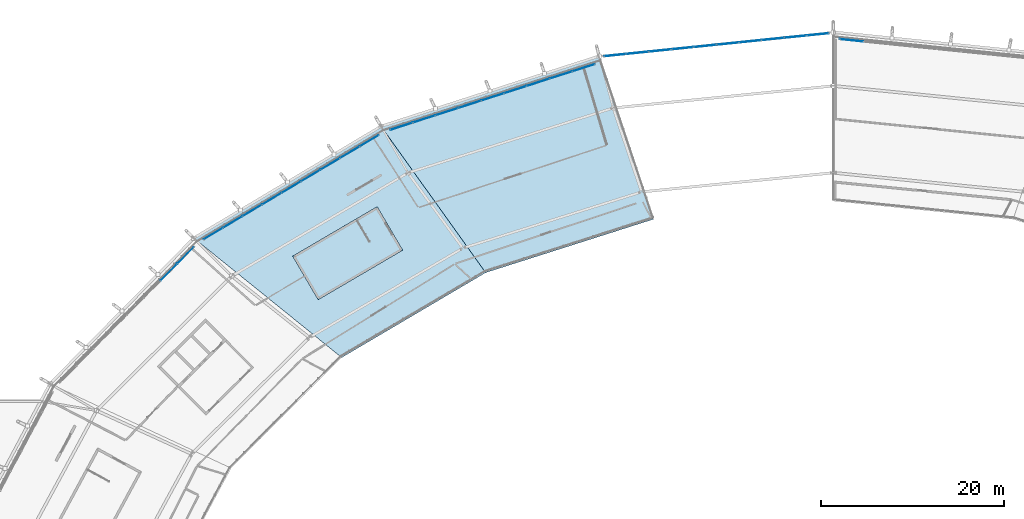
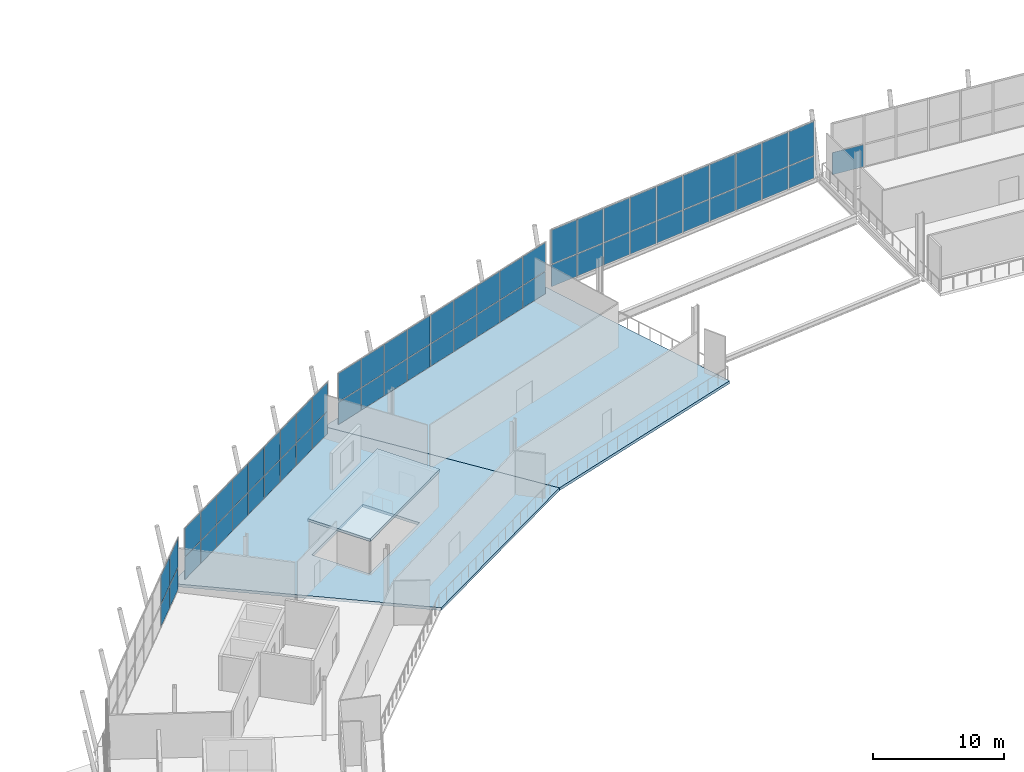
# One storey, part 60 of 99: 61 plates, 3 slabs, 5 elements without a shape of their own.
"""IFC4 building model written with IfcOpenShell, lengths in metres."""

from ifc_helpers import new_model, si_unit, direction, frame, origin, origin_2d, place, context, subcontext, project, spatial, polyline, rectangle, outline, extrude, material, layer, layer_set, type_object, element, aggregate, save


model = new_model("IFC4")

# Units and contexts
model_context = context("Model", 3, precision=1e-05, world=origin(), true_north=direction((0.0, 1.0)))
body_context = subcontext(model_context, "Body", "Model", "MODEL_VIEW")
ifc_project = project(units=[si_unit("LENGTHUNIT", "METRE"), si_unit("AREAUNIT", "SQUARE_METRE"), si_unit("VOLUMEUNIT", "CUBIC_METRE"), si_unit("PLANEANGLEUNIT", "RADIAN"), si_unit("MASSUNIT", "GRAM", prefix="KILO")], contexts=[model_context])

# Site, building, storey
site_placement = place(None, origin())
site = spatial("IfcSite", under=ifc_project, at=site_placement, CompositionType="ELEMENT")
building_placement = place(site_placement, origin())
building = spatial("IfcBuilding", under=site, at=building_placement, Name="Zlatoyarsky Gate Stadium", CompositionType="ELEMENT")
storey_placement = place(building_placement, frame((0.0, 0.0, 26.199951171875)))
storey = spatial("IfcBuildingStorey", under=building, at=storey_placement, Name="L05", CompositionType="ELEMENT", Elevation=26.199951171875)

# Curtain wall, plates
ifc_material_1 = material(Name="Thermally broken anodised aluminium curtain wall", Category="aluminium")
curtain_wall_type_1 = type_object("IfcCurtainWallType", Name="MONUMENTAL ARCHED GATE GLAZING UPPER", PredefinedType="USERDEFINED", material=ifc_material_1)
curtain_wall_1_placement = place(storey_placement, origin())
curtain_wall_1 = element("IfcCurtainWall", 1, at=curtain_wall_1_placement, inside=storey, type_object=curtain_wall_type_1, Name="Curtain wall CW-L05-06", ObjectType="ARCHED GATE GLAZING", PredefinedType="USERDEFINED")
ifc_material_2 = material(Name="Triple-glazed argon low-e architectural glass", Category="glass")
ifc_layer_1 = layer(ifc_material_2, 0.0458984375)
ifc_layer_set_1 = layer_set([ifc_layer_1], Name="Triple-glazed argon low-e architectural glass")
plate_type_1 = type_object("IfcPlateType", Name="ACOUSTIC LAMINATED GATE GLAZING PANEL 46", PredefinedType="CURTAIN_PANEL", material=ifc_layer_set_1)
plate_1_placement = place(storey_placement, frame((109.2998046875, 156.6240234375, -0.18505859375), z_axis=(0.0, 0.0, 1.0), x_axis=(-0.994804369996, -0.101805036399, 0.0)))
plate_1 = element("IfcPlate", 2, at=plate_1_placement, type_object=plate_type_1, Name="CW-AG2 panel 1.1", PredefinedType="CURTAIN_PANEL", context=body_context, shape_type="SweptSolid", body=[
    extrude(rectangle(XDim=2.367919921875, YDim=0.0458984375, at=origin_2d()), origin(), (0.0, 0.0, 1.0), 2.03759765625),
])
plate_2_placement = place(storey_placement, frame((109.2998046875, 156.6240234375, 1.927490234375), z_axis=(0.0, 0.0, 1.0), x_axis=(-0.994804369996, -0.101805036399, 0.0)))
plate_2 = element("IfcPlate", 3, at=plate_2_placement, type_object=plate_type_1, Name="CW-AG2 panel 1.2", PredefinedType="CURTAIN_PANEL", context=body_context, shape_type="SweptSolid", body=[
    extrude(rectangle(XDim=2.367919921875, YDim=0.0458984375, at=origin_2d()), origin(), (0.0, 0.0, 1.0), 3.1474609375),
])
plate_3_placement = place(storey_placement, frame((106.85107421875, 156.37353515625, -0.18505859375), z_axis=(0.0, 0.0, 1.0), x_axis=(-0.994804369996, -0.101805036399, 0.0)))
plate_3 = element("IfcPlate", 4, at=plate_3_placement, type_object=plate_type_1, Name="CW-AG2 panel 2.1", PredefinedType="CURTAIN_PANEL", context=body_context, shape_type="SweptSolid", body=[
    extrude(rectangle(XDim=2.405517578125, YDim=0.0458984375, at=origin_2d()), origin(), (0.0, 0.0, 1.0), 2.03759765625),
])
plate_4_placement = place(storey_placement, frame((106.85107421875, 156.37353515625, 1.927490234375), z_axis=(0.0, 0.0, 1.0), x_axis=(-0.994804369996, -0.101805036399, 0.0)))
plate_4 = element("IfcPlate", 5, at=plate_4_placement, type_object=plate_type_1, Name="CW-AG2 panel 2.2", PredefinedType="CURTAIN_PANEL", context=body_context, shape_type="SweptSolid", body=[
    extrude(rectangle(XDim=2.405517578125, YDim=0.0458984375, at=origin_2d()), origin(), (0.0, 0.0, 1.0), 3.1474609375),
])
plate_5_placement = place(storey_placement, frame((104.383544921875, 156.12109375, -0.18505859375), z_axis=(0.0, 0.0, 1.0), x_axis=(-0.994804369996, -0.101805036399, 0.0)))
plate_5 = element("IfcPlate", 6, at=plate_5_placement, type_object=plate_type_1, Name="CW-AG2 panel 3.1", PredefinedType="CURTAIN_PANEL", context=body_context, shape_type="SweptSolid", body=[
    extrude(rectangle(XDim=2.405517578125, YDim=0.0458984375, at=origin_2d()), origin(), (0.0, 0.0, 1.0), 2.03759765625),
])
plate_6_placement = place(storey_placement, frame((104.383544921875, 156.12109375, 1.927490234375), z_axis=(0.0, 0.0, 1.0), x_axis=(-0.994804369996, -0.101805036399, 0.0)))
plate_6 = element("IfcPlate", 7, at=plate_6_placement, type_object=plate_type_1, Name="CW-AG2 panel 3.2", PredefinedType="CURTAIN_PANEL", context=body_context, shape_type="SweptSolid", body=[
    extrude(rectangle(XDim=2.405517578125, YDim=0.0458984375, at=origin_2d()), origin(), (0.0, 0.0, 1.0), 3.1474609375),
])
plate_7_placement = place(storey_placement, frame((101.916015625, 155.868408203125, -0.18505859375), z_axis=(0.0, 0.0, 1.0), x_axis=(-0.994804369996, -0.101805036399, 0.0)))
plate_7 = element("IfcPlate", 8, at=plate_7_placement, type_object=plate_type_1, Name="CW-AG2 panel 4.1", PredefinedType="CURTAIN_PANEL", context=body_context, shape_type="SweptSolid", body=[
    extrude(rectangle(XDim=2.405517578125, YDim=0.0458984375, at=origin_2d()), origin(), (0.0, 0.0, 1.0), 2.03759765625),
])
plate_8_placement = place(storey_placement, frame((101.916015625, 155.868408203125, 1.927490234375), z_axis=(0.0, 0.0, 1.0), x_axis=(-0.994804369996, -0.101805036399, 0.0)))
plate_8 = element("IfcPlate", 9, at=plate_8_placement, type_object=plate_type_1, Name="CW-AG2 panel 4.2", PredefinedType="CURTAIN_PANEL", context=body_context, shape_type="SweptSolid", body=[
    extrude(rectangle(XDim=2.405517578125, YDim=0.0458984375, at=origin_2d()), origin(), (0.0, 0.0, 1.0), 3.1474609375),
])
plate_9_placement = place(storey_placement, frame((99.448486328125, 155.615966796875, -0.18505859375), z_axis=(0.0, 0.0, 1.0), x_axis=(-0.994804369996, -0.101805036399, 0.0)))
plate_9 = element("IfcPlate", 10, at=plate_9_placement, type_object=plate_type_1, Name="CW-AG2 panel 5.1", PredefinedType="CURTAIN_PANEL", context=body_context, shape_type="SweptSolid", body=[
    extrude(rectangle(XDim=2.405517578125, YDim=0.0458984375, at=origin_2d()), origin(), (0.0, 0.0, 1.0), 2.03759765625),
])
plate_10_placement = place(storey_placement, frame((99.448486328125, 155.615966796875, 1.927490234375), z_axis=(0.0, 0.0, 1.0), x_axis=(-0.994804369996, -0.101805036399, 0.0)))
plate_10 = element("IfcPlate", 11, at=plate_10_placement, type_object=plate_type_1, Name="CW-AG2 panel 5.2", PredefinedType="CURTAIN_PANEL", context=body_context, shape_type="SweptSolid", body=[
    extrude(rectangle(XDim=2.405517578125, YDim=0.0458984375, at=origin_2d()), origin(), (0.0, 0.0, 1.0), 3.1474609375),
])
plate_11_placement = place(storey_placement, frame((96.980712890625, 155.363525390625, -0.18505859375), z_axis=(0.0, 0.0, 1.0), x_axis=(-0.994804369996, -0.101805036399, 0.0)))
plate_11 = element("IfcPlate", 12, at=plate_11_placement, type_object=plate_type_1, Name="CW-AG2 panel 6.1", PredefinedType="CURTAIN_PANEL", context=body_context, shape_type="SweptSolid", body=[
    extrude(rectangle(XDim=2.405517578125, YDim=0.0458984375, at=origin_2d()), origin(), (0.0, 0.0, 1.0), 2.03759765625),
])
plate_12_placement = place(storey_placement, frame((96.980712890625, 155.363525390625, 1.927490234375), z_axis=(0.0, 0.0, 1.0), x_axis=(-0.994804369996, -0.101805036399, 0.0)))
plate_12 = element("IfcPlate", 13, at=plate_12_placement, type_object=plate_type_1, Name="CW-AG2 panel 6.2", PredefinedType="CURTAIN_PANEL", context=body_context, shape_type="SweptSolid", body=[
    extrude(rectangle(XDim=2.405517578125, YDim=0.0458984375, at=origin_2d()), origin(), (0.0, 0.0, 1.0), 3.1474609375),
])
plate_13_placement = place(storey_placement, frame((94.51318359375, 155.11083984375, -0.18505859375), z_axis=(0.0, 0.0, 1.0), x_axis=(-0.994804369996, -0.101805036399, 0.0)))
plate_13 = element("IfcPlate", 14, at=plate_13_placement, type_object=plate_type_1, Name="CW-AG2 panel 7.1", PredefinedType="CURTAIN_PANEL", context=body_context, shape_type="SweptSolid", body=[
    extrude(rectangle(XDim=2.405517578125, YDim=0.0458984375, at=origin_2d()), origin(), (0.0, 0.0, 1.0), 2.03759765625),
])
plate_14_placement = place(storey_placement, frame((94.51318359375, 155.11083984375, 1.927490234375), z_axis=(0.0, 0.0, 1.0), x_axis=(-0.994804369996, -0.101805036399, 0.0)))
plate_14 = element("IfcPlate", 15, at=plate_14_placement, type_object=plate_type_1, Name="CW-AG2 panel 7.2", PredefinedType="CURTAIN_PANEL", context=body_context, shape_type="SweptSolid", body=[
    extrude(rectangle(XDim=2.405517578125, YDim=0.0458984375, at=origin_2d()), origin(), (0.0, 0.0, 1.0), 3.1474609375),
])
plate_15_placement = place(storey_placement, frame((92.045654296875, 154.8583984375, -0.18505859375), z_axis=(0.0, 0.0, 1.0), x_axis=(-0.994804369996, -0.101805036399, 0.0)))
plate_15 = element("IfcPlate", 16, at=plate_15_placement, type_object=plate_type_1, Name="CW-AG2 panel 8.1", PredefinedType="CURTAIN_PANEL", context=body_context, shape_type="SweptSolid", body=[
    extrude(rectangle(XDim=2.405517578125, YDim=0.0458984375, at=origin_2d()), origin(), (0.0, 0.0, 1.0), 2.03759765625),
])
plate_16_placement = place(storey_placement, frame((92.045654296875, 154.8583984375, 1.927490234375), z_axis=(0.0, 0.0, 1.0), x_axis=(-0.994804369996, -0.101805036399, 0.0)))
plate_16 = element("IfcPlate", 17, at=plate_16_placement, type_object=plate_type_1, Name="CW-AG2 panel 8.2", PredefinedType="CURTAIN_PANEL", context=body_context, shape_type="SweptSolid", body=[
    extrude(rectangle(XDim=2.405517578125, YDim=0.0458984375, at=origin_2d()), origin(), (0.0, 0.0, 1.0), 3.1474609375),
])
plate_17_placement = place(storey_placement, frame((89.578125, 154.60595703125, -0.18505859375), z_axis=(0.0, 0.0, 1.0), x_axis=(-0.994804369996, -0.101805036399, 0.0)))
plate_17 = element("IfcPlate", 18, at=plate_17_placement, type_object=plate_type_1, Name="CW-AG2 panel 9.1", PredefinedType="CURTAIN_PANEL", context=body_context, shape_type="SweptSolid", body=[
    extrude(rectangle(XDim=2.405517578125, YDim=0.0458984375, at=origin_2d()), origin(), (0.0, 0.0, 1.0), 2.03759765625),
])
plate_18_placement = place(storey_placement, frame((89.578125, 154.60595703125, 1.927490234375), z_axis=(0.0, 0.0, 1.0), x_axis=(-0.994804369996, -0.101805036399, 0.0)))
plate_18 = element("IfcPlate", 19, at=plate_18_placement, type_object=plate_type_1, Name="CW-AG2 panel 9.2", PredefinedType="CURTAIN_PANEL", context=body_context, shape_type="SweptSolid", body=[
    extrude(rectangle(XDim=2.405517578125, YDim=0.0458984375, at=origin_2d()), origin(), (0.0, 0.0, 1.0), 3.1474609375),
])
plate_19_placement = place(storey_placement, frame((87.12939453125, 154.355224609375, -0.18505859375), z_axis=(0.0, 0.0, 1.0), x_axis=(-0.994804369996, -0.101805036399, 0.0)))
plate_19 = element("IfcPlate", 20, at=plate_19_placement, type_object=plate_type_1, Name="CW-AG2 panel 10.1", PredefinedType="CURTAIN_PANEL", context=body_context, shape_type="SweptSolid", body=[
    extrude(rectangle(XDim=2.367919921875, YDim=0.0458984375, at=origin_2d()), origin(), (0.0, 0.0, 1.0), 2.03759765625),
])
plate_20_placement = place(storey_placement, frame((87.12939453125, 154.355224609375, 1.927490234375), z_axis=(0.0, 0.0, 1.0), x_axis=(-0.994804369996, -0.101805036399, 0.0)))
plate_20 = element("IfcPlate", 21, at=plate_20_placement, type_object=plate_type_1, Name="CW-AG2 panel 10.2", PredefinedType="CURTAIN_PANEL", context=body_context, shape_type="SweptSolid", body=[
    extrude(rectangle(XDim=2.367919921875, YDim=0.0458984375, at=origin_2d()), origin(), (0.0, 0.0, 1.0), 3.1474609375),
])
aggregate(curtain_wall_1, [plate_1, plate_2, plate_3, plate_4, plate_5, plate_6, plate_7, plate_8, plate_9, plate_10, plate_11, plate_12, plate_13, plate_14, plate_15, plate_16, plate_17, plate_18, plate_19, plate_20])

# Slabs
ifc_material_3 = material(Name="Concrete C40/50", Category="concrete")
ifc_layer_2 = layer(ifc_material_3, 0.239990234375)
ifc_layer_set_2 = layer_set([ifc_layer_2], Name="Concrete C40/50")
slab_type_1 = type_object("IfcSlabType", Name="CONCRETE CORE TOP CAP SLAB 240", PredefinedType="ROOF", material=ifc_layer_set_2)
slab_1_placement = place(storey_placement, frame((0.0, 0.0, 3.199951171875)))
element("IfcSlab", 22, at=slab_1_placement, inside=storey, type_object=slab_type_1, Name="ST-05 stair headhouse roof cap", PredefinedType="ROOF", context=body_context, shape_type="SweptSolid", body=[
    extrude(outline(polyline([(61.1376953125, 137.784912109375), (51.9052734375, 132.37646484375), (54.685302734375, 127.630859375), (63.917724609375, 133.039306640625), (61.1376953125, 137.784912109375)])), origin(), (0.0, 0.0, 1.0), 0.239990234375),
])
ifc_layer_3 = layer(ifc_material_3, 0.260009765625)
ifc_layer_set_3 = layer_set([ifc_layer_3], Name="Concrete C40/50")
slab_type_2 = type_object("IfcSlabType", Name="CONCRETE SKYBOX SLAB 260", PredefinedType="FLOOR", material=ifc_layer_set_3)
slab_2_placement = place(storey_placement, frame((0.0, 0.0, -0.260009765625)))
element("IfcSlab", 23, at=slab_2_placement, inside=storey, type_object=slab_type_2, Name="L05 bowl sector 07 slab", PredefinedType="FLOOR", context=body_context, shape_type="SweptSolid", body=[
    extrude(outline(polyline([(73.0, 130.575927734375), (61.56103515625, 146.578369140625), (85.408447265625, 154.258544921875), (91.329833984375, 136.41015625), (73.0, 130.575927734375)])), origin(), (0.0, 0.0, 1.0), 0.260009765625),
])
slab_3_placement = place(storey_placement, frame((0.0, 0.0, -0.260009765625)))
element("IfcSlab", 24, at=slab_3_placement, inside=storey, type_object=slab_type_2, Name="L05 bowl sector 08 slab", PredefinedType="FLOOR", context=body_context, shape_type="SweptSolid", body=[
    extrude(outline(polyline([(57.260009765625, 121.294921875), (41.08251953125, 134.361083984375), (61.56103515625, 146.578369140625), (73.0, 130.575927734375), (57.260009765625, 121.294921875)]), holes=[polyline([(58.934326171875, 136.204345703125), (52.247314453125, 132.287109375), (54.774658203125, 127.972900390625), (61.461669921875, 131.89013671875), (58.934326171875, 136.204345703125)])]), origin(), (0.0, 0.0, 1.0), 0.260009765625),
])

# Curtain wall, plate
curtain_wall_type_2 = type_object("IfcCurtainWallType", Name="UNITISED SKYBOX RING GLAZING L05", PredefinedType="USERDEFINED", material=ifc_material_1)
curtain_wall_2_placement = place(storey_placement, origin())
curtain_wall_2 = element("IfcCurtainWall", 25, at=curtain_wall_2_placement, inside=storey, type_object=curtain_wall_type_2, Name="Curtain wall CW-L05-05", ObjectType="UNITISED GLAZING", PredefinedType="USERDEFINED")
ifc_layer_4 = layer(ifc_material_2, 0.0380859375)
ifc_layer_set_4 = layer_set([ifc_layer_4], Name="Triple-glazed argon low-e architectural glass")
plate_type_2 = type_object("IfcPlateType", Name="TRIPLE GLAZED LOW E CURTAIN PANEL 38", PredefinedType="CURTAIN_PANEL", material=ifc_layer_set_4)
plate_21_placement = place(storey_placement, frame((113.002685546875, 155.973388671875, 0.06494140625), z_axis=(0.0, 0.0, 1.0), x_axis=(-0.994823467586, 0.101618248063, 0.0)))
plate_21 = element("IfcPlate", 26, at=plate_21_placement, type_object=plate_type_2, Name="CW-UG5 panel 9.1", PredefinedType="CURTAIN_PANEL", context=body_context, shape_type="SweptSolid", body=[
    extrude(rectangle(XDim=2.59619140625, YDim=0.0380859375, at=origin_2d()), origin(), (0.0, 0.0, 1.0), 2.052490234375),
])
aggregate(curtain_wall_2, [plate_21])

# Curtain wall, plates
curtain_wall_3_placement = place(storey_placement, origin())
curtain_wall_3 = element("IfcCurtainWall", 27, at=curtain_wall_3_placement, inside=storey, type_object=curtain_wall_type_2, Name="Curtain wall CW-L05-07", ObjectType="UNITISED GLAZING", PredefinedType="USERDEFINED")
plate_22_placement = place(storey_placement, frame((83.70849609375, 152.977783203125, 0.06494140625), z_axis=(0.0, 0.0, 1.0), x_axis=(-0.952038183475, -0.305979243097, 0.0)))
plate_22 = element("IfcPlate", 28, at=plate_22_placement, type_object=plate_type_2, Name="CW-UG5 panel 1.1", PredefinedType="CURTAIN_PANEL", context=body_context, shape_type="SweptSolid", body=[
    extrude(rectangle(XDim=2.521484375, YDim=0.0380859375, at=origin_2d()), origin(), (0.0, 0.0, 1.0), 2.052490234375),
])
plate_23_placement = place(storey_placement, frame((83.70849609375, 152.977783203125, 2.1826171875), z_axis=(0.0, 0.0, 1.0), x_axis=(-0.952038183475, -0.305979243097, 0.0)))
plate_23 = element("IfcPlate", 29, at=plate_23_placement, type_object=plate_type_2, Name="CW-UG5 panel 1.2", PredefinedType="CURTAIN_PANEL", context=body_context, shape_type="SweptSolid", body=[
    extrude(rectangle(XDim=2.521484375, YDim=0.0380859375, at=origin_2d()), origin(), (0.0, 0.0, 1.0), 2.632568359375),
])
plate_24_placement = place(storey_placement, frame((81.230712890625, 152.181396484375, 0.06494140625), z_axis=(0.0, 0.0, 1.0), x_axis=(-0.952038183475, -0.305979243097, 0.0)))
plate_24 = element("IfcPlate", 30, at=plate_24_placement, type_object=plate_type_2, Name="CW-UG5 panel 2.1", PredefinedType="CURTAIN_PANEL", context=body_context, shape_type="SweptSolid", body=[
    extrude(rectangle(XDim=2.553955078125, YDim=0.0380859375, at=origin_2d()), origin(), (0.0, 0.0, 1.0), 2.052490234375),
])
plate_25_placement = place(storey_placement, frame((81.230712890625, 152.181396484375, 2.1826171875), z_axis=(0.0, 0.0, 1.0), x_axis=(-0.952038183475, -0.305979243097, 0.0)))
plate_25 = element("IfcPlate", 31, at=plate_25_placement, type_object=plate_type_2, Name="CW-UG5 panel 2.2", PredefinedType="CURTAIN_PANEL", context=body_context, shape_type="SweptSolid", body=[
    extrude(rectangle(XDim=2.553955078125, YDim=0.0380859375, at=origin_2d()), origin(), (0.0, 0.0, 1.0), 2.632568359375),
])
plate_26_placement = place(storey_placement, frame((78.7373046875, 151.380126953125, 0.06494140625), z_axis=(0.0, 0.0, 1.0), x_axis=(-0.952038183475, -0.305979243097, 0.0)))
plate_26 = element("IfcPlate", 32, at=plate_26_placement, type_object=plate_type_2, Name="CW-UG5 panel 3.1", PredefinedType="CURTAIN_PANEL", context=body_context, shape_type="SweptSolid", body=[
    extrude(rectangle(XDim=2.553955078125, YDim=0.0380859375, at=origin_2d()), origin(), (0.0, 0.0, 1.0), 2.052490234375),
])
plate_27_placement = place(storey_placement, frame((78.7373046875, 151.380126953125, 2.1826171875), z_axis=(0.0, 0.0, 1.0), x_axis=(-0.952038183475, -0.305979243097, 0.0)))
plate_27 = element("IfcPlate", 33, at=plate_27_placement, type_object=plate_type_2, Name="CW-UG5 panel 3.2", PredefinedType="CURTAIN_PANEL", context=body_context, shape_type="SweptSolid", body=[
    extrude(rectangle(XDim=2.553955078125, YDim=0.0380859375, at=origin_2d()), origin(), (0.0, 0.0, 1.0), 2.632568359375),
])
plate_28_placement = place(storey_placement, frame((76.24365234375, 150.57861328125, 0.06494140625), z_axis=(0.0, 0.0, 1.0), x_axis=(-0.952038183475, -0.305979243097, 0.0)))
plate_28 = element("IfcPlate", 34, at=plate_28_placement, type_object=plate_type_2, Name="CW-UG5 panel 4.1", PredefinedType="CURTAIN_PANEL", context=body_context, shape_type="SweptSolid", body=[
    extrude(rectangle(XDim=2.553955078125, YDim=0.0380859375, at=origin_2d()), origin(), (0.0, 0.0, 1.0), 2.052490234375),
])
plate_29_placement = place(storey_placement, frame((76.24365234375, 150.57861328125, 2.1826171875), z_axis=(0.0, 0.0, 1.0), x_axis=(-0.952038183475, -0.305979243097, 0.0)))
plate_29 = element("IfcPlate", 35, at=plate_29_placement, type_object=plate_type_2, Name="CW-UG5 panel 4.2", PredefinedType="CURTAIN_PANEL", context=body_context, shape_type="SweptSolid", body=[
    extrude(rectangle(XDim=2.553955078125, YDim=0.0380859375, at=origin_2d()), origin(), (0.0, 0.0, 1.0), 2.632568359375),
])
plate_30_placement = place(storey_placement, frame((73.750244140625, 149.77734375, 0.06494140625), z_axis=(0.0, 0.0, 1.0), x_axis=(-0.952038183475, -0.305979243097, 0.0)))
plate_30 = element("IfcPlate", 36, at=plate_30_placement, type_object=plate_type_2, Name="CW-UG5 panel 5.1", PredefinedType="CURTAIN_PANEL", context=body_context, shape_type="SweptSolid", body=[
    extrude(rectangle(XDim=2.553955078125, YDim=0.0380859375, at=origin_2d()), origin(), (0.0, 0.0, 1.0), 2.052490234375),
])
plate_31_placement = place(storey_placement, frame((73.750244140625, 149.77734375, 2.1826171875), z_axis=(0.0, 0.0, 1.0), x_axis=(-0.952038183475, -0.305979243097, 0.0)))
plate_31 = element("IfcPlate", 37, at=plate_31_placement, type_object=plate_type_2, Name="CW-UG5 panel 5.2", PredefinedType="CURTAIN_PANEL", context=body_context, shape_type="SweptSolid", body=[
    extrude(rectangle(XDim=2.553955078125, YDim=0.0380859375, at=origin_2d()), origin(), (0.0, 0.0, 1.0), 2.632568359375),
])
plate_32_placement = place(storey_placement, frame((71.2568359375, 148.975830078125, 0.06494140625), z_axis=(0.0, 0.0, 1.0), x_axis=(-0.952038183475, -0.305979243097, 0.0)))
plate_32 = element("IfcPlate", 38, at=plate_32_placement, type_object=plate_type_2, Name="CW-UG5 panel 6.1", PredefinedType="CURTAIN_PANEL", context=body_context, shape_type="SweptSolid", body=[
    extrude(rectangle(XDim=2.553955078125, YDim=0.0380859375, at=origin_2d()), origin(), (0.0, 0.0, 1.0), 2.052490234375),
])
plate_33_placement = place(storey_placement, frame((71.2568359375, 148.975830078125, 2.1826171875), z_axis=(0.0, 0.0, 1.0), x_axis=(-0.952038183475, -0.305979243097, 0.0)))
plate_33 = element("IfcPlate", 39, at=plate_33_placement, type_object=plate_type_2, Name="CW-UG5 panel 6.2", PredefinedType="CURTAIN_PANEL", context=body_context, shape_type="SweptSolid", body=[
    extrude(rectangle(XDim=2.553955078125, YDim=0.0380859375, at=origin_2d()), origin(), (0.0, 0.0, 1.0), 2.632568359375),
])
plate_34_placement = place(storey_placement, frame((68.763427734375, 148.174560546875, 0.06494140625), z_axis=(0.0, 0.0, 1.0), x_axis=(-0.952038183475, -0.305979243097, 0.0)))
plate_34 = element("IfcPlate", 40, at=plate_34_placement, type_object=plate_type_2, Name="CW-UG5 panel 7.1", PredefinedType="CURTAIN_PANEL", context=body_context, shape_type="SweptSolid", body=[
    extrude(rectangle(XDim=2.553955078125, YDim=0.0380859375, at=origin_2d()), origin(), (0.0, 0.0, 1.0), 2.052490234375),
])
plate_35_placement = place(storey_placement, frame((68.763427734375, 148.174560546875, 2.1826171875), z_axis=(0.0, 0.0, 1.0), x_axis=(-0.952038183475, -0.305979243097, 0.0)))
plate_35 = element("IfcPlate", 41, at=plate_35_placement, type_object=plate_type_2, Name="CW-UG5 panel 7.2", PredefinedType="CURTAIN_PANEL", context=body_context, shape_type="SweptSolid", body=[
    extrude(rectangle(XDim=2.553955078125, YDim=0.0380859375, at=origin_2d()), origin(), (0.0, 0.0, 1.0), 2.632568359375),
])
plate_36_placement = place(storey_placement, frame((66.27001953125, 147.373046875, 0.06494140625), z_axis=(0.0, 0.0, 1.0), x_axis=(-0.952038183475, -0.305979243097, 0.0)))
plate_36 = element("IfcPlate", 42, at=plate_36_placement, type_object=plate_type_2, Name="CW-UG5 panel 8.1", PredefinedType="CURTAIN_PANEL", context=body_context, shape_type="SweptSolid", body=[
    extrude(rectangle(XDim=2.553955078125, YDim=0.0380859375, at=origin_2d()), origin(), (0.0, 0.0, 1.0), 2.052490234375),
])
plate_37_placement = place(storey_placement, frame((66.27001953125, 147.373046875, 2.1826171875), z_axis=(0.0, 0.0, 1.0), x_axis=(-0.952038183475, -0.305979243097, 0.0)))
plate_37 = element("IfcPlate", 43, at=plate_37_placement, type_object=plate_type_2, Name="CW-UG5 panel 8.2", PredefinedType="CURTAIN_PANEL", context=body_context, shape_type="SweptSolid", body=[
    extrude(rectangle(XDim=2.553955078125, YDim=0.0380859375, at=origin_2d()), origin(), (0.0, 0.0, 1.0), 2.632568359375),
])
plate_38_placement = place(storey_placement, frame((63.7919921875, 146.57666015625, 0.06494140625), z_axis=(0.0, 0.0, 1.0), x_axis=(-0.952038183475, -0.305979243097, 0.0)))
plate_38 = element("IfcPlate", 44, at=plate_38_placement, type_object=plate_type_2, Name="CW-UG5 panel 9.1", PredefinedType="CURTAIN_PANEL", context=body_context, shape_type="SweptSolid", body=[
    extrude(rectangle(XDim=2.521484375, YDim=0.0380859375, at=origin_2d()), origin(), (0.0, 0.0, 1.0), 2.052490234375),
])
plate_39_placement = place(storey_placement, frame((63.7919921875, 146.57666015625, 2.1826171875), z_axis=(0.0, 0.0, 1.0), x_axis=(-0.952038183475, -0.305979243097, 0.0)))
plate_39 = element("IfcPlate", 45, at=plate_39_placement, type_object=plate_type_2, Name="CW-UG5 panel 9.2", PredefinedType="CURTAIN_PANEL", context=body_context, shape_type="SweptSolid", body=[
    extrude(rectangle(XDim=2.521484375, YDim=0.0380859375, at=origin_2d()), origin(), (0.0, 0.0, 1.0), 2.632568359375),
])
aggregate(curtain_wall_3, [plate_22, plate_23, plate_24, plate_25, plate_26, plate_27, plate_28, plate_29, plate_30, plate_31, plate_32, plate_33, plate_34, plate_35, plate_36, plate_37, plate_38, plate_39])

curtain_wall_4_placement = place(storey_placement, origin())
curtain_wall_4 = element("IfcCurtainWall", 46, at=curtain_wall_4_placement, inside=storey, type_object=curtain_wall_type_2, Name="Curtain wall CW-L05-08", ObjectType="UNITISED GLAZING", PredefinedType="USERDEFINED")
plate_40_placement = place(storey_placement, frame((60.27099609375, 144.995849609375, 0.06494140625), z_axis=(0.0, 0.0, 1.0), x_axis=(-0.859238508005, -0.511575201082, 0.0)))
plate_40 = element("IfcPlate", 47, at=plate_40_placement, type_object=plate_type_2, Name="CW-UG5 panel 1.1", PredefinedType="CURTAIN_PANEL", context=body_context, shape_type="SweptSolid", body=[
    extrude(rectangle(XDim=2.387451171875, YDim=0.0380859375, at=origin_2d()), origin(), (0.0, 0.0, 1.0), 2.052490234375),
])
plate_41_placement = place(storey_placement, frame((60.27099609375, 144.995849609375, 2.1826171875), z_axis=(0.0, 0.0, 1.0), x_axis=(-0.859238508005, -0.511575201082, 0.0)))
plate_41 = element("IfcPlate", 48, at=plate_41_placement, type_object=plate_type_2, Name="CW-UG5 panel 1.2", PredefinedType="CURTAIN_PANEL", context=body_context, shape_type="SweptSolid", body=[
    extrude(rectangle(XDim=2.387451171875, YDim=0.0380859375, at=origin_2d()), origin(), (0.0, 0.0, 1.0), 2.632568359375),
])
plate_42_placement = place(storey_placement, frame((58.149658203125, 143.73291015625, 0.06494140625), z_axis=(0.0, 0.0, 1.0), x_axis=(-0.859238508005, -0.511575201082, 0.0)))
plate_42 = element("IfcPlate", 49, at=plate_42_placement, type_object=plate_type_2, Name="CW-UG5 panel 2.1", PredefinedType="CURTAIN_PANEL", context=body_context, shape_type="SweptSolid", body=[
    extrude(rectangle(XDim=2.419921875, YDim=0.0380859375, at=origin_2d()), origin(), (0.0, 0.0, 1.0), 2.052490234375),
])
plate_43_placement = place(storey_placement, frame((58.149658203125, 143.73291015625, 2.1826171875), z_axis=(0.0, 0.0, 1.0), x_axis=(-0.859238508005, -0.511575201082, 0.0)))
plate_43 = element("IfcPlate", 50, at=plate_43_placement, type_object=plate_type_2, Name="CW-UG5 panel 2.2", PredefinedType="CURTAIN_PANEL", context=body_context, shape_type="SweptSolid", body=[
    extrude(rectangle(XDim=2.419921875, YDim=0.0380859375, at=origin_2d()), origin(), (0.0, 0.0, 1.0), 2.632568359375),
])
plate_44_placement = place(storey_placement, frame((56.0146484375, 142.461669921875, 0.06494140625), z_axis=(0.0, 0.0, 1.0), x_axis=(-0.859238508005, -0.511575201082, 0.0)))
plate_44 = element("IfcPlate", 51, at=plate_44_placement, type_object=plate_type_2, Name="CW-UG5 panel 3.1", PredefinedType="CURTAIN_PANEL", context=body_context, shape_type="SweptSolid", body=[
    extrude(rectangle(XDim=2.419921875, YDim=0.0380859375, at=origin_2d()), origin(), (0.0, 0.0, 1.0), 2.052490234375),
])
plate_45_placement = place(storey_placement, frame((56.0146484375, 142.461669921875, 2.1826171875), z_axis=(0.0, 0.0, 1.0), x_axis=(-0.859238508005, -0.511575201082, 0.0)))
plate_45 = element("IfcPlate", 52, at=plate_45_placement, type_object=plate_type_2, Name="CW-UG5 panel 3.2", PredefinedType="CURTAIN_PANEL", context=body_context, shape_type="SweptSolid", body=[
    extrude(rectangle(XDim=2.419921875, YDim=0.0380859375, at=origin_2d()), origin(), (0.0, 0.0, 1.0), 2.632568359375),
])
plate_46_placement = place(storey_placement, frame((53.87939453125, 141.1904296875, 0.06494140625), z_axis=(0.0, 0.0, 1.0), x_axis=(-0.859238508005, -0.511575201082, 0.0)))
plate_46 = element("IfcPlate", 53, at=plate_46_placement, type_object=plate_type_2, Name="CW-UG5 panel 4.1", PredefinedType="CURTAIN_PANEL", context=body_context, shape_type="SweptSolid", body=[
    extrude(rectangle(XDim=2.419921875, YDim=0.0380859375, at=origin_2d()), origin(), (0.0, 0.0, 1.0), 2.052490234375),
])
plate_47_placement = place(storey_placement, frame((53.87939453125, 141.1904296875, 2.1826171875), z_axis=(0.0, 0.0, 1.0), x_axis=(-0.859238508005, -0.511575201082, 0.0)))
plate_47 = element("IfcPlate", 54, at=plate_47_placement, type_object=plate_type_2, Name="CW-UG5 panel 4.2", PredefinedType="CURTAIN_PANEL", context=body_context, shape_type="SweptSolid", body=[
    extrude(rectangle(XDim=2.419921875, YDim=0.0380859375, at=origin_2d()), origin(), (0.0, 0.0, 1.0), 2.632568359375),
])
plate_48_placement = place(storey_placement, frame((51.744384765625, 139.919189453125, 0.06494140625), z_axis=(0.0, 0.0, 1.0), x_axis=(-0.859238508005, -0.511575201082, 0.0)))
plate_48 = element("IfcPlate", 55, at=plate_48_placement, type_object=plate_type_2, Name="CW-UG5 panel 5.1", PredefinedType="CURTAIN_PANEL", context=body_context, shape_type="SweptSolid", body=[
    extrude(rectangle(XDim=2.419921875, YDim=0.0380859375, at=origin_2d()), origin(), (0.0, 0.0, 1.0), 2.052490234375),
])
plate_49_placement = place(storey_placement, frame((51.744384765625, 139.919189453125, 2.1826171875), z_axis=(0.0, 0.0, 1.0), x_axis=(-0.859238508005, -0.511575201082, 0.0)))
plate_49 = element("IfcPlate", 56, at=plate_49_placement, type_object=plate_type_2, Name="CW-UG5 panel 5.2", PredefinedType="CURTAIN_PANEL", context=body_context, shape_type="SweptSolid", body=[
    extrude(rectangle(XDim=2.419921875, YDim=0.0380859375, at=origin_2d()), origin(), (0.0, 0.0, 1.0), 2.632568359375),
])
plate_50_placement = place(storey_placement, frame((49.609130859375, 138.64794921875, 0.06494140625), z_axis=(0.0, 0.0, 1.0), x_axis=(-0.859238508005, -0.511575201082, 0.0)))
plate_50 = element("IfcPlate", 57, at=plate_50_placement, type_object=plate_type_2, Name="CW-UG5 panel 6.1", PredefinedType="CURTAIN_PANEL", context=body_context, shape_type="SweptSolid", body=[
    extrude(rectangle(XDim=2.419921875, YDim=0.0380859375, at=origin_2d()), origin(), (0.0, 0.0, 1.0), 2.052490234375),
])
plate_51_placement = place(storey_placement, frame((49.609130859375, 138.64794921875, 2.1826171875), z_axis=(0.0, 0.0, 1.0), x_axis=(-0.859238508005, -0.511575201082, 0.0)))
plate_51 = element("IfcPlate", 58, at=plate_51_placement, type_object=plate_type_2, Name="CW-UG5 panel 6.2", PredefinedType="CURTAIN_PANEL", context=body_context, shape_type="SweptSolid", body=[
    extrude(rectangle(XDim=2.419921875, YDim=0.0380859375, at=origin_2d()), origin(), (0.0, 0.0, 1.0), 2.632568359375),
])
plate_52_placement = place(storey_placement, frame((47.473876953125, 137.376708984375, 0.06494140625), z_axis=(0.0, 0.0, 1.0), x_axis=(-0.859238508005, -0.511575201082, 0.0)))
plate_52 = element("IfcPlate", 59, at=plate_52_placement, type_object=plate_type_2, Name="CW-UG5 panel 7.1", PredefinedType="CURTAIN_PANEL", context=body_context, shape_type="SweptSolid", body=[
    extrude(rectangle(XDim=2.419921875, YDim=0.0380859375, at=origin_2d()), origin(), (0.0, 0.0, 1.0), 2.052490234375),
])
plate_53_placement = place(storey_placement, frame((47.473876953125, 137.376708984375, 2.1826171875), z_axis=(0.0, 0.0, 1.0), x_axis=(-0.859238508005, -0.511575201082, 0.0)))
plate_53 = element("IfcPlate", 60, at=plate_53_placement, type_object=plate_type_2, Name="CW-UG5 panel 7.2", PredefinedType="CURTAIN_PANEL", context=body_context, shape_type="SweptSolid", body=[
    extrude(rectangle(XDim=2.419921875, YDim=0.0380859375, at=origin_2d()), origin(), (0.0, 0.0, 1.0), 2.632568359375),
])
plate_54_placement = place(storey_placement, frame((45.3388671875, 136.10546875, 0.06494140625), z_axis=(0.0, 0.0, 1.0), x_axis=(-0.859238508005, -0.511575201082, 0.0)))
plate_54 = element("IfcPlate", 61, at=plate_54_placement, type_object=plate_type_2, Name="CW-UG5 panel 8.1", PredefinedType="CURTAIN_PANEL", context=body_context, shape_type="SweptSolid", body=[
    extrude(rectangle(XDim=2.419921875, YDim=0.0380859375, at=origin_2d()), origin(), (0.0, 0.0, 1.0), 2.052490234375),
])
plate_55_placement = place(storey_placement, frame((45.3388671875, 136.10546875, 2.1826171875), z_axis=(0.0, 0.0, 1.0), x_axis=(-0.859238508005, -0.511575201082, 0.0)))
plate_55 = element("IfcPlate", 62, at=plate_55_placement, type_object=plate_type_2, Name="CW-UG5 panel 8.2", PredefinedType="CURTAIN_PANEL", context=body_context, shape_type="SweptSolid", body=[
    extrude(rectangle(XDim=2.419921875, YDim=0.0380859375, at=origin_2d()), origin(), (0.0, 0.0, 1.0), 2.632568359375),
])
plate_56_placement = place(storey_placement, frame((43.217529296875, 134.842529296875, 0.06494140625), z_axis=(0.0, 0.0, 1.0), x_axis=(-0.859238508005, -0.511575201082, 0.0)))
plate_56 = element("IfcPlate", 63, at=plate_56_placement, type_object=plate_type_2, Name="CW-UG5 panel 9.1", PredefinedType="CURTAIN_PANEL", context=body_context, shape_type="SweptSolid", body=[
    extrude(rectangle(XDim=2.387451171875, YDim=0.0380859375, at=origin_2d()), origin(), (0.0, 0.0, 1.0), 2.052490234375),
])
plate_57_placement = place(storey_placement, frame((43.217529296875, 134.842529296875, 2.1826171875), z_axis=(0.0, 0.0, 1.0), x_axis=(-0.859238508005, -0.511575201082, 0.0)))
plate_57 = element("IfcPlate", 64, at=plate_57_placement, type_object=plate_type_2, Name="CW-UG5 panel 9.2", PredefinedType="CURTAIN_PANEL", context=body_context, shape_type="SweptSolid", body=[
    extrude(rectangle(XDim=2.387451171875, YDim=0.0380859375, at=origin_2d()), origin(), (0.0, 0.0, 1.0), 2.632568359375),
])
aggregate(curtain_wall_4, [plate_40, plate_41, plate_42, plate_43, plate_44, plate_45, plate_46, plate_47, plate_48, plate_49, plate_50, plate_51, plate_52, plate_53, plate_54, plate_55, plate_56, plate_57])

curtain_wall_5_placement = place(storey_placement, origin())
curtain_wall_5 = element("IfcCurtainWall", 65, at=curtain_wall_5_placement, inside=storey, type_object=curtain_wall_type_2, Name="Curtain wall CW-L05-09", ObjectType="UNITISED GLAZING", PredefinedType="USERDEFINED")
plate_58_placement = place(storey_placement, frame((40.191162109375, 132.464111328125, 0.06494140625), z_axis=(0.0, 0.0, 1.0), x_axis=(-0.70315589898, -0.711035710587, 0.0)))
plate_58 = element("IfcPlate", 66, at=plate_58_placement, type_object=plate_type_2, Name="CW-UG5 panel 1.1", PredefinedType="CURTAIN_PANEL", context=body_context, shape_type="SweptSolid", body=[
    extrude(rectangle(XDim=2.513671875, YDim=0.0380859375, at=origin_2d()), origin(), (0.0, 0.0, 1.0), 2.052490234375),
])
plate_59_placement = place(storey_placement, frame((40.191162109375, 132.464111328125, 2.1826171875), z_axis=(0.0, 0.0, 1.0), x_axis=(-0.70315589898, -0.711035710587, 0.0)))
plate_59 = element("IfcPlate", 67, at=plate_59_placement, type_object=plate_type_2, Name="CW-UG5 panel 1.2", PredefinedType="CURTAIN_PANEL", context=body_context, shape_type="SweptSolid", body=[
    extrude(rectangle(XDim=2.513671875, YDim=0.0380859375, at=origin_2d()), origin(), (0.0, 0.0, 1.0), 2.632568359375),
])
plate_60_placement = place(storey_placement, frame((38.366455078125, 130.619140625, 0.06494140625), z_axis=(0.0, 0.0, 1.0), x_axis=(-0.70315589898, -0.711035710587, 0.0)))
plate_60 = element("IfcPlate", 68, at=plate_60_placement, type_object=plate_type_2, Name="CW-UG5 panel 2.1", PredefinedType="CURTAIN_PANEL", context=body_context, shape_type="SweptSolid", body=[
    extrude(rectangle(XDim=2.546142578125, YDim=0.0380859375, at=origin_2d()), origin(), (0.0, 0.0, 1.0), 2.052490234375),
])
plate_61_placement = place(storey_placement, frame((38.366455078125, 130.619140625, 2.1826171875), z_axis=(0.0, 0.0, 1.0), x_axis=(-0.70315589898, -0.711035710587, 0.0)))
plate_61 = element("IfcPlate", 69, at=plate_61_placement, type_object=plate_type_2, Name="CW-UG5 panel 2.2", PredefinedType="CURTAIN_PANEL", context=body_context, shape_type="SweptSolid", body=[
    extrude(rectangle(XDim=2.546142578125, YDim=0.0380859375, at=origin_2d()), origin(), (0.0, 0.0, 1.0), 2.632568359375),
])
aggregate(curtain_wall_5, [plate_58, plate_59, plate_60, plate_61])

save(model, "model.ifc")
